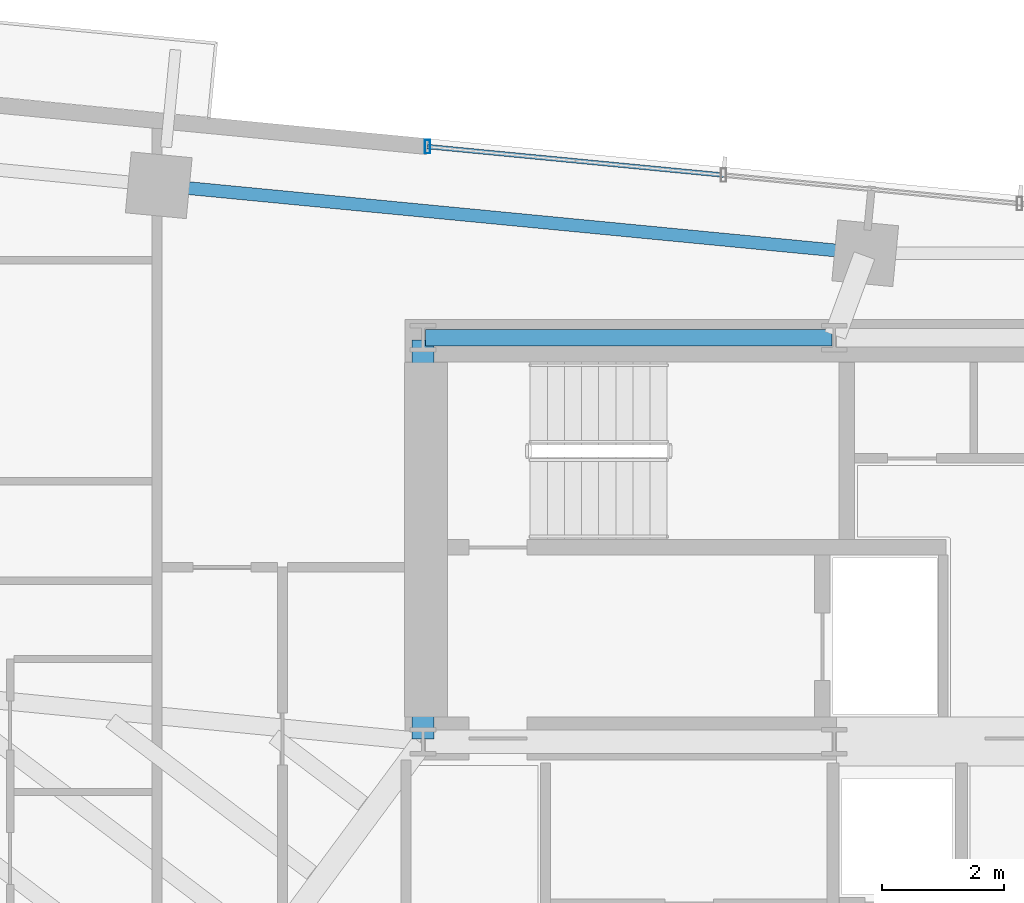
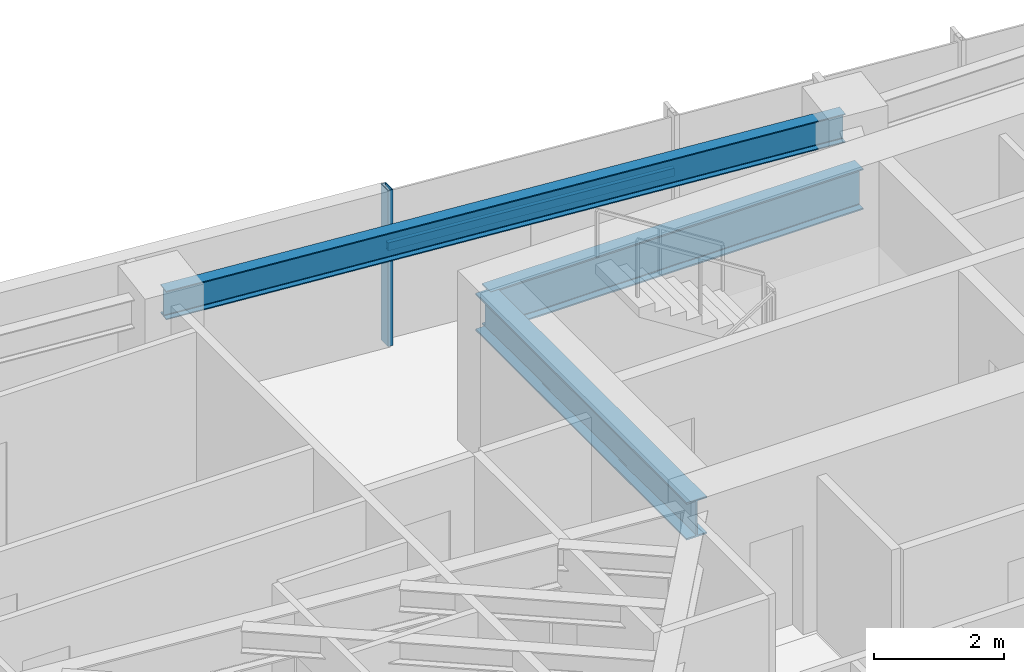
# One storey, part 7 of 20: 3 beams, 2 members, 1 element without a shape of its own.
"""IFC4 building model written with IfcOpenShell, lengths in metres."""

from ifc_helpers import new_model, si_unit, direction, frame, origin, origin_2d, place, context, subcontext, project, spatial, hollow_rectangle, i_section, extrude, source, transform, mapped, material, material_profile, profile_set, type_object, type_shapes, element, aggregate, save


model = new_model("IFC4")

# Units and contexts
model_context = context("Model", 3, precision=1e-05, world=origin(), true_north=direction((0.0, 1.0)))
body_context = subcontext(model_context, "Body", "Model", "MODEL_VIEW")
ifc_project = project(units=[si_unit("LENGTHUNIT", "METRE"), si_unit("AREAUNIT", "SQUARE_METRE"), si_unit("VOLUMEUNIT", "CUBIC_METRE"), si_unit("PLANEANGLEUNIT", "RADIAN"), si_unit("MASSUNIT", "GRAM", prefix="KILO")], contexts=[model_context])

# Site, building, storey
site_placement = place(None, origin())
site = spatial("IfcSite", under=ifc_project, at=site_placement, CompositionType="ELEMENT")
building_placement = place(site_placement, origin())
building = spatial("IfcBuilding", under=site, at=building_placement, Name="Astriad Promenade Condominiums", CompositionType="ELEMENT")
storey_placement = place(building_placement, frame((0.0, 0.0, 127.800048828125)))
storey = spatial("IfcBuildingStorey", under=building, at=storey_placement, Name="L36", CompositionType="ELEMENT", Elevation=127.800048828125)

# Beams
ifc_material_1 = material(Name="Steel ASTM A992 Grade 50", Category="steel")
ifc_material_profile_1 = material_profile(ifc_material_1, i_section(OverallWidth=0.267822265625, OverallDepth=0.76953125, WebThickness=0.015625, FlangeThickness=0.025390625, FilletRadius=0.021484375, at=origin_2d()), Name="W30X132")
ifc_profile_set_1 = profile_set([ifc_material_profile_1], Name="Steel ASTM A992 Grade 50")
beam_type_1 = type_object("IfcBeamType", Name="STEEL FLOOR GIRDER W30X132", PredefinedType="BEAM", material=ifc_profile_set_1)
shared_shape_1 = source(origin(), body_context, "Body", "SweptSolid", [
    extrude(i_section(OverallWidth=0.267822265625, OverallDepth=0.76953125, WebThickness=0.015625, FlangeThickness=0.025390625, FilletRadius=0.021484375, at=origin_2d()), origin(), (0.0, 0.0, 1.0), 6.64013671875),
])
type_shapes(beam_type_1, [shared_shape_1])
beam_1_placement = place(storey_placement, frame((26.43994140625, 24.0, 2.55517578125), z_axis=(1.0, 0.0, 0.0), x_axis=(0.0, 1.0, 0.0)))
element("IfcBeam", 1, at=beam_1_placement, inside=storey, type_object=beam_type_1, Name="Core Ring Beam CG-N1-L36", PredefinedType="BEAM", context=body_context, shape_type="MappedRepresentation", body=[
    mapped(shared_shape_1, transform((0.0, 0.0, 0.0), scale=1.0)),
])
ifc_material_profile_2 = material_profile(ifc_material_1, i_section(OverallWidth=0.35791015625, OverallDepth=0.706298828125, WebThickness=0.018310546875, FlangeThickness=0.0302734375, FilletRadius=0.020263671875, at=origin_2d()), Name="W27X178")
ifc_profile_set_2 = profile_set([ifc_material_profile_2], Name="Steel ASTM A992 Grade 50")
beam_type_2 = type_object("IfcBeamType", Name="STEEL FLOOR GIRDER W27X178", PredefinedType="BEAM", material=ifc_profile_set_2)
shared_shape_2 = source(origin(), body_context, "Body", "SweptSolid", [
    extrude(i_section(OverallWidth=0.35791015625, OverallDepth=0.706298828125, WebThickness=0.018310546875, FlangeThickness=0.0302734375, FilletRadius=0.020263671875, at=origin_2d()), origin(), (0.0, 0.0, 1.0), 6.52001953125),
])
type_shapes(beam_type_2, [shared_shape_2])
beam_2_placement = place(storey_placement, frame((26.39990234375, 17.43994140625, 2.586669921875), z_axis=(0.0, 1.0, 0.0), x_axis=(-1.0, 0.0, 0.0)))
element("IfcBeam", 2, at=beam_2_placement, inside=storey, type_object=beam_type_2, Name="Core Ring Beam CG-W1-L36", PredefinedType="BEAM", context=body_context, shape_type="MappedRepresentation", body=[
    mapped(shared_shape_2, transform((0.0, 0.0, 0.0), scale=1.0)),
])
ifc_material_profile_3 = material_profile(ifc_material_1, i_section(OverallWidth=0.210693359375, OverallDepth=0.53955078125, WebThickness=0.01171875, FlangeThickness=0.018798828125, FilletRadius=0.0166015625, at=origin_2d()), Name="W21X73")
ifc_profile_set_3 = profile_set([ifc_material_profile_3], Name="Steel ASTM A992 Grade 50")
beam_type_3 = type_object("IfcBeamType", Name="STEEL SPANDREL BEAM W21X73", PredefinedType="SPANDREL", material=ifc_profile_set_3)
shared_shape_3 = source(origin(), body_context, "Body", "SweptSolid", [
    extrude(i_section(OverallWidth=0.210693359375, OverallDepth=0.53955078125, WebThickness=0.01171875, FlangeThickness=0.018798828125, FilletRadius=0.0166015625, at=origin_2d()), origin(), (0.0, 0.0, 1.0), 11.52001953125),
])
type_shapes(beam_type_3, [shared_shape_3])
beam_3_placement = place(storey_placement, frame((33.58642578125, 25.384033203125, 2.670166015625), z_axis=(-0.9953953902, 0.095854145285, 0.0), x_axis=(-0.095854145285, -0.9953953902, 0.0)))
element("IfcBeam", 3, at=beam_3_placement, inside=storey, type_object=beam_type_3, Name="Perimeter Spandrel Beam SP-N2-L36", PredefinedType="SPANDREL", context=body_context, shape_type="MappedRepresentation", body=[
    mapped(shared_shape_3, transform((0.0, 0.0, 0.0), scale=1.0)),
])

# Curtain wall, members
ifc_material_2 = material(Name="Anodised aluminium Black Dark Glass Unitised", Category="aluminium")
curtain_wall_type = type_object("IfcCurtainWallType", Name="CW-B34-DARK", PredefinedType="USERDEFINED", material=ifc_material_2)
curtain_wall_placement = place(storey_placement, origin())
curtain_wall = element("IfcCurtainWall", 4, at=curtain_wall_placement, inside=storey, type_object=curtain_wall_type, Name="CW-L36-N", ObjectType="UNITISED_CURTAIN_WALL", PredefinedType="USERDEFINED")
ifc_material_3 = material(Name="Anodised aluminium 6063-T6 Black", Category="aluminium")
ifc_material_profile_4 = material_profile(ifc_material_3, hollow_rectangle(XDim=0.0849609375, YDim=0.219970703125, WallThickness=0.0048828125, at=origin_2d()), Name="ALU-MUL-85X220")
ifc_profile_set_4 = profile_set([ifc_material_profile_4], Name="Anodised aluminium 6063-T6 Black")
member_type_1 = type_object("IfcMemberType", Name="MUL-ALU-MUL-85X220", PredefinedType="MULLION", material=ifc_profile_set_4)
shared_shape_4 = source(origin(), body_context, "Body", "SweptSolid", [
    extrude(hollow_rectangle(XDim=0.0849609375, YDim=0.219970703125, WallThickness=0.0048828125, at=origin_2d()), origin(), (0.0, 0.0, 1.0), 2.93994140625),
])
type_shapes(member_type_1, [shared_shape_4])
member_1_placement = place(storey_placement, frame((26.470458984375, 27.124267578125, 0.0), z_axis=(0.0, 0.0, 1.0), x_axis=(1.0, 0.0, 0.0)))
member_1 = element("IfcMember", 5, at=member_1_placement, type_object=member_type_1, Name="CW-L36-N-MUL-00", PredefinedType="MULLION", context=body_context, shape_type="MappedRepresentation", body=[
    mapped(shared_shape_4, transform((0.0, 0.0, 0.0), scale=1.0)),
])
ifc_material_profile_5 = material_profile(ifc_material_3, hollow_rectangle(XDim=0.074951171875, YDim=0.14990234375, WallThickness=0.004150390625, at=origin_2d()), Name="ALU-TRN-75X150")
ifc_profile_set_5 = profile_set([ifc_material_profile_5], Name="Anodised aluminium 6063-T6 Black")
member_type_2 = type_object("IfcMemberType", Name="TRN-ALU-TRN-75X150", PredefinedType="USERDEFINED", material=ifc_profile_set_5)
shared_shape_5 = source(origin(), body_context, "Body", "SweptSolid", [
    extrude(hollow_rectangle(XDim=0.074951171875, YDim=0.14990234375, WallThickness=0.004150390625, at=origin_2d()), origin(), (0.0, 0.0, 1.0), 4.860107421875),
])
type_shapes(member_type_2, [shared_shape_5])
member_2_placement = place(storey_placement, frame((26.470458984375, 27.124267578125, 1.82275390625), z_axis=(0.995396042559, -0.095847370639, 0.0), x_axis=(0.095847370639, 0.995396042559, 0.0)))
member_2 = element("IfcMember", 6, at=member_2_placement, type_object=member_type_2, Name="CW-L36-N-TRN-00-0", ObjectType="TRANSOM", PredefinedType="USERDEFINED", context=body_context, shape_type="MappedRepresentation", body=[
    mapped(shared_shape_5, transform((0.0, 0.0, 0.0), scale=1.0)),
])
aggregate(curtain_wall, [member_1, member_2])

save(model, "model.ifc")
